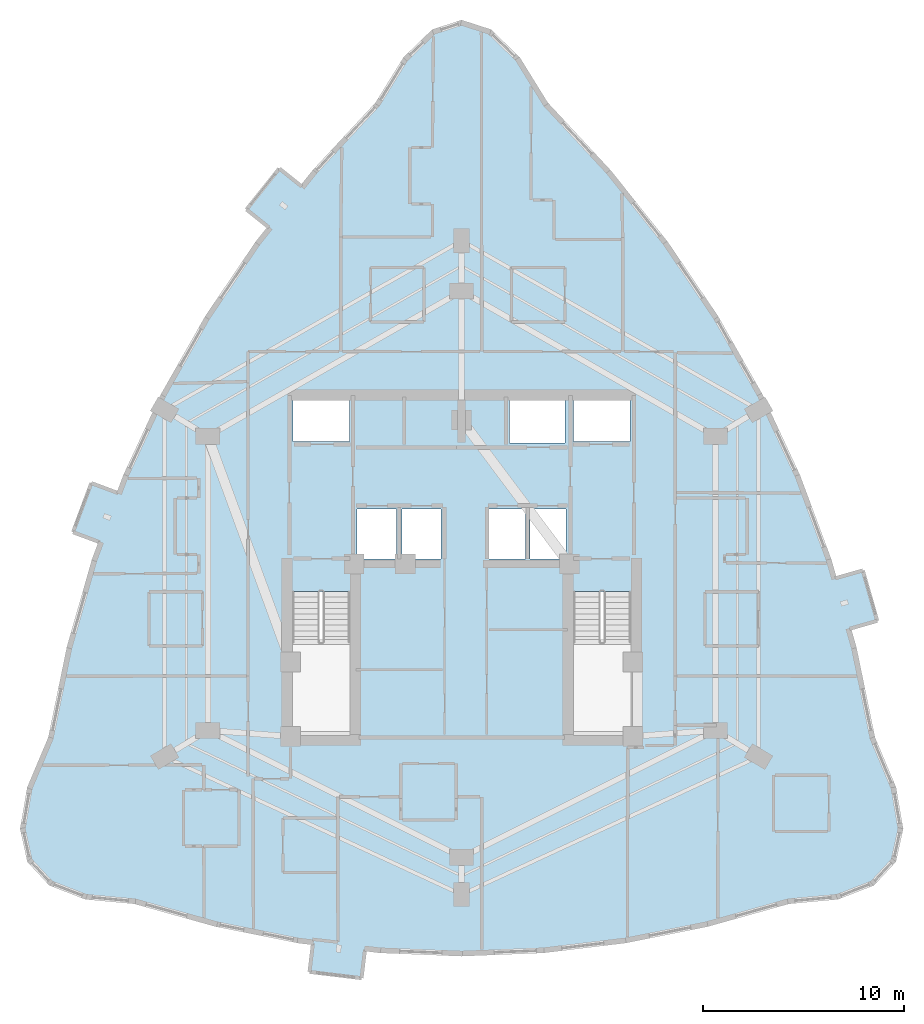
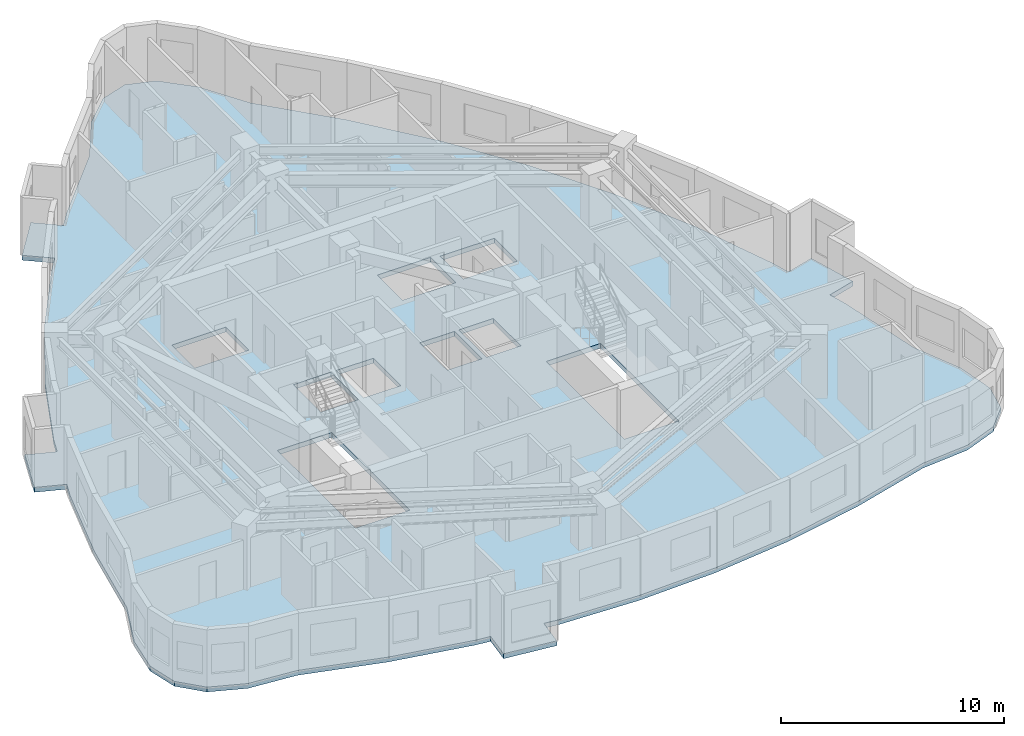
# One storey, part 5 of 14: 1 slab.
"""IFC4 building model written with IfcOpenShell, lengths in metres."""

from ifc_helpers import new_model, si_unit, direction, frame, origin, place, context, subcontext, project, spatial, polyline, outline, extrude, material, layer, layer_set, type_object, element, save


model = new_model("IFC4")

# Units and contexts
model_context = context("Model", 3, precision=1e-05, world=origin(), true_north=direction((0.0, 1.0)))
body_context = subcontext(model_context, "Body", "Model", "MODEL_VIEW")
ifc_project = project(units=[si_unit("LENGTHUNIT", "METRE"), si_unit("AREAUNIT", "SQUARE_METRE"), si_unit("VOLUMEUNIT", "CUBIC_METRE"), si_unit("PLANEANGLEUNIT", "RADIAN"), si_unit("MASSUNIT", "GRAM", prefix="KILO")], contexts=[model_context])

# Site, building, storey
site_placement = place(None, origin())
site = spatial("IfcSite", under=ifc_project, at=site_placement, CompositionType="ELEMENT")
building_placement = place(site_placement, origin())
building = spatial("IfcBuilding", under=site, at=building_placement, Name="Miruveldt Soraemaru", CompositionType="ELEMENT")
storey_placement = place(building_placement, frame((0.0, 0.0, 128.39990234375)))
storey = spatial("IfcBuildingStorey", under=building, at=storey_placement, Name="L35", CompositionType="ELEMENT", Elevation=128.39990234375)

# Slab
ifc_material = material(Name="Concrete C40/50 (40 MPa)", Category="concrete")
ifc_layer = layer(ifc_material, 0.264892578125, Name="Concrete C40/50 (40 MPa)", Category="concrete")
ifc_layer_set = layer_set([ifc_layer], Name="Concrete C40/50 (40 MPa)")
slab_type = type_object("IfcSlabType", Name="SLAB-RES2-265", PredefinedType="FLOOR", material=ifc_layer_set)
slab_placement = place(storey_placement, frame((0.0, 0.0, -0.264892578125)))
element("IfcSlab", 1, at=slab_placement, inside=storey, type_object=slab_type, Name="L35 Structural Floor Slab", PredefinedType="FLOOR", context=body_context, shape_type="SweptSolid", body=[
    extrude(outline(polyline([(36.4501953125, 23.812744140625), (36.62646484375, 25.2822265625), (35.889404296875, 25.37060546875), (31.834228515625, 26.181640625), (27.779052734375, 27.317138671875), (25.34619140625, 27.5419921875), (23.6083984375, 28.216064453125), (22.565673828125, 29.33984375), (22.218017578125, 30.9130859375), (22.565673828125, 32.935791015625), (23.6083984375, 35.407958984375), (24.53466796875, 39.908935546875), (25.775390625, 44.247802734375), (26.099609375, 45.117919921875), (24.712646484375, 45.634521484375), (25.6201171875, 48.071044921875), (27.007080078125, 47.554443359375), (26.553466796875, 46.336181640625), (27.331298828125, 48.424560546875), (29.201416015625, 52.439208984375), (31.386474609375, 56.29150390625), (33.885986328125, 59.9814453125), (34.482421875, 60.72900390625), (33.325439453125, 61.652099609375), (34.94677734375, 63.6845703125), (36.103759765625, 62.76171875), (35.293212890625, 61.745361328125), (36.7001953125, 63.50927734375), (39.829345703125, 66.875), (41.219482421875, 69.122314453125), (42.60986328125, 70.470703125), (44.0, 70.92041015625), (45.39013671875, 70.470703125), (46.780517578125, 69.122314453125), (48.170654296875, 66.875), (51.2998046875, 63.50927734375), (54.114013671875, 59.9814453125), (56.613525390625, 56.29150390625), (58.798583984375, 52.439208984375), (60.668701171875, 48.424560546875), (62.224609375, 44.247802734375), (62.487548828125, 43.328369140625), (63.910400390625, 43.7353515625), (64.62548828125, 41.235595703125), (63.202392578125, 40.82861328125), (63.46533203125, 39.908935546875), (64.3916015625, 35.407958984375), (65.434326171875, 32.935791015625), (65.781982421875, 30.9130859375), (65.434326171875, 29.33984375), (64.3916015625, 28.216064453125), (62.65380859375, 27.5419921875), (60.220947265625, 27.317138671875), (56.165771484375, 26.181640625), (52.110595703125, 25.37060546875), (48.05517578125, 24.884033203125), (44.0, 24.7216796875), (39.94482421875, 24.884033203125), (37.9169921875, 25.127197265625), (39.2080078125, 24.972412109375), (39.031494140625, 23.5029296875), (36.4501953125, 23.812744140625)]), holes=[polyline([(35.614990234375, 35.6650390625), (38.43505859375, 35.6650390625), (38.43505859375, 42.68505859375), (35.614990234375, 42.68505859375), (35.614990234375, 35.6650390625)]), polyline([(49.56494140625, 35.6650390625), (52.385009765625, 35.6650390625), (52.385009765625, 42.68505859375), (49.56494140625, 42.68505859375), (49.56494140625, 35.6650390625)]), polyline([(40.764892578125, 44.31494140625), (40.764892578125, 46.784912109375), (38.81494140625, 46.784912109375), (38.81494140625, 44.31494140625), (40.764892578125, 44.31494140625)]), polyline([(42.965087890625, 44.31494140625), (42.965087890625, 46.784912109375), (41.034912109375, 46.784912109375), (41.034912109375, 44.31494140625), (42.965087890625, 44.31494140625)]), polyline([(47.1650390625, 44.31494140625), (47.1650390625, 46.784912109375), (45.364990234375, 46.784912109375), (45.364990234375, 44.31494140625), (47.1650390625, 44.31494140625)]), polyline([(49.18505859375, 44.31494140625), (49.18505859375, 46.784912109375), (47.39501953125, 46.784912109375), (47.39501953125, 44.31494140625), (49.18505859375, 44.31494140625)]), polyline([(38.445068359375, 50.135009765625), (38.445068359375, 52.205078125), (35.635009765625, 52.205078125), (35.635009765625, 50.135009765625), (38.445068359375, 50.135009765625)]), polyline([(49.554931640625, 50.135009765625), (52.364990234375, 50.135009765625), (52.364990234375, 52.205078125), (49.554931640625, 52.205078125), (49.554931640625, 50.135009765625)]), polyline([(46.364990234375, 50.06494140625), (49.135009765625, 50.06494140625), (49.135009765625, 52.3349609375), (46.364990234375, 52.3349609375), (46.364990234375, 50.06494140625)])]), origin(), (0.0, 0.0, 1.0), 0.264892578125),
])

save(model, "model.ifc")
